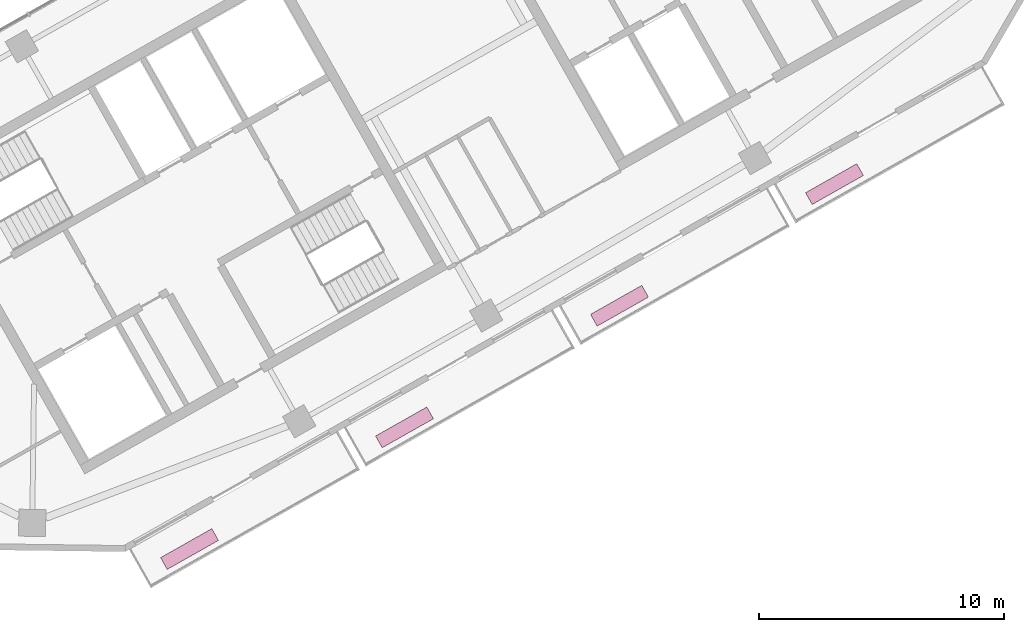
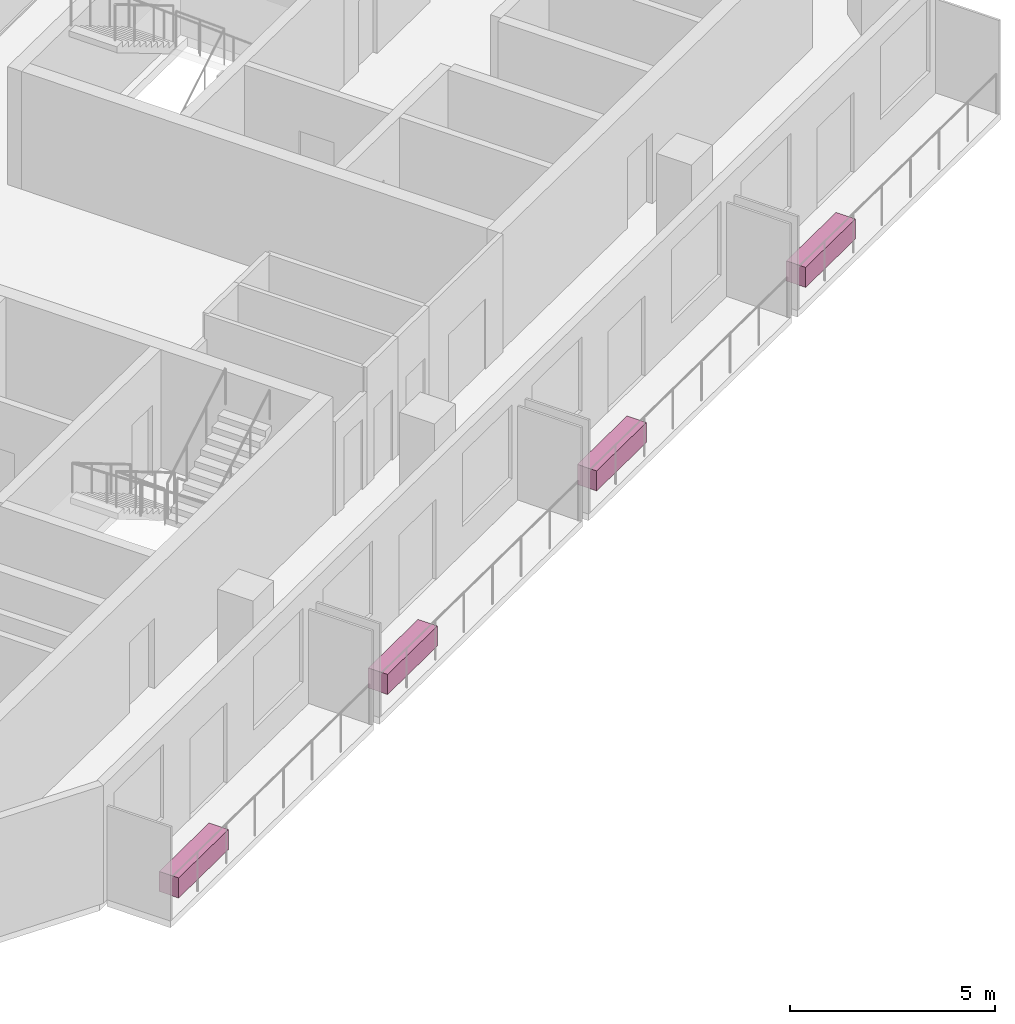
# One storey, part 10 of 10: 4 furnishings.
"""IFC4 building model written with IfcOpenShell, lengths in metres."""

from ifc_helpers import new_model, si_unit, direction, frame, origin, origin_2d, place, context, subcontext, project, spatial, rectangle, extrude, material, type_object, element, save


model = new_model("IFC4")

# Units and contexts
model_context = context("Model", 3, precision=1e-05, world=origin(), true_north=direction((0.0, 1.0)))
body_context = subcontext(model_context, "Body", "Model", "MODEL_VIEW")
ifc_project = project(units=[si_unit("LENGTHUNIT", "METRE"), si_unit("AREAUNIT", "SQUARE_METRE"), si_unit("VOLUMEUNIT", "CUBIC_METRE"), si_unit("PLANEANGLEUNIT", "RADIAN"), si_unit("MASSUNIT", "GRAM", prefix="KILO")], contexts=[model_context])

# Site, building, storey
site_placement = place(None, origin())
site = spatial("IfcSite", under=ifc_project, at=site_placement, CompositionType="ELEMENT")
building_placement = place(site_placement, origin())
building = spatial("IfcBuilding", under=site, at=building_placement, Name="Binnacle Exchange Tower", CompositionType="ELEMENT")
storey_placement = place(building_placement, frame((0.0, 0.0, 320.300048828125)))
storey = spatial("IfcBuildingStorey", under=building, at=storey_placement, Name="L72", CompositionType="ELEMENT", Elevation=320.300048828125)

# Furnishings
ifc_material = material(Name="Concrete C35/45", Category="concrete")
furnishing_element_type = type_object("IfcFurnishingElementType", Name="PLANTER 2400x550x600", material=ifc_material)
for number, where, z_axis, x_axis, name in (
    (1, (-35.44677734375, 26.428466796875, 0.0), (0.0, 0.0, 1.0), (0.87035569594, 0.492423560103, 0.0), "Planter H07-B00a L72"),
    (2, (-26.683837890625, 31.38623046875, 0.0), (0.0, 0.0, 1.0), (0.87035569594, 0.492423560103, 0.0), "Planter H07-B01a L72"),
    (3, (-17.9208984375, 36.34423828125, 0.0), (0.0, 0.0, 1.0), (0.87035569594, 0.492423560103, 0.0), "Planter H07-B02a L72"),
    (4, (-9.158203125, 41.302001953125, 0.0), (0.0, 0.0, 1.0), (0.87035569594, 0.492423560103, 0.0), "Planter H07-B03a L72"),
):
    element("IfcFurnishingElement", number, at=place(storey_placement, frame(where, z_axis=z_axis, x_axis=x_axis)), inside=storey, type_object=furnishing_element_type, Name=name, ObjectType="PLANTER", context=body_context, shape_type="SweptSolid", body=[
        extrude(rectangle(XDim=2.39990234375, YDim=0.550048828125, at=origin_2d()), origin(), (0.0, 0.0, 1.0), 0.60009765625),
    ])

save(model, "model.ifc")
